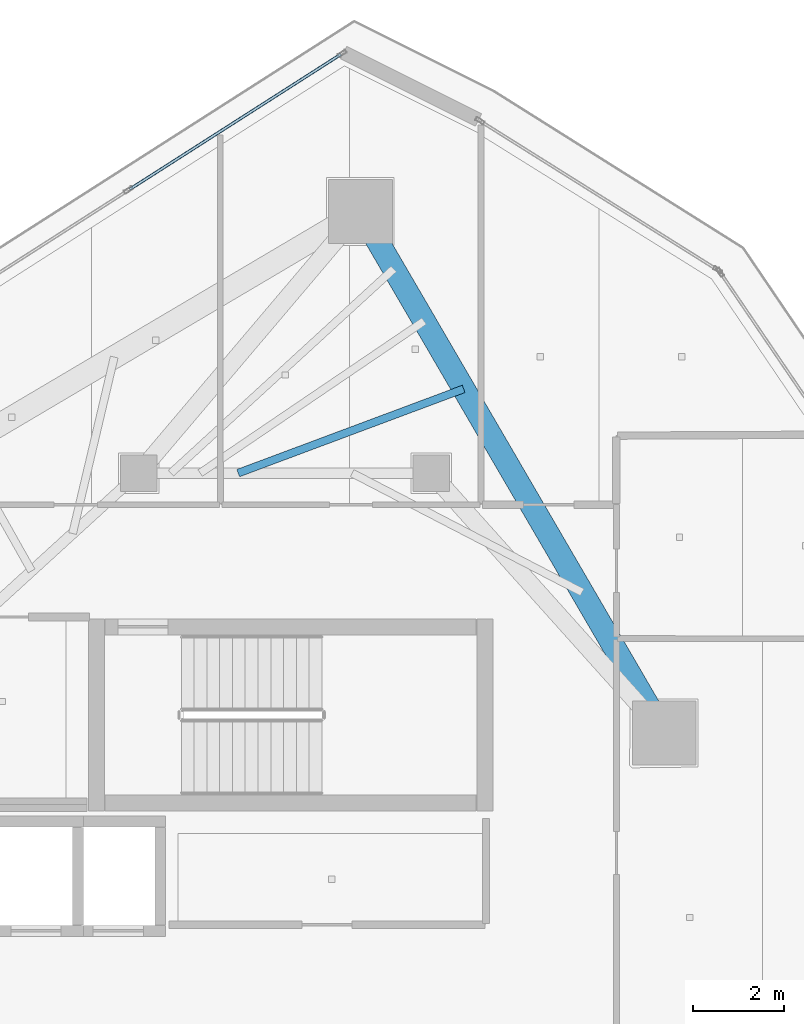
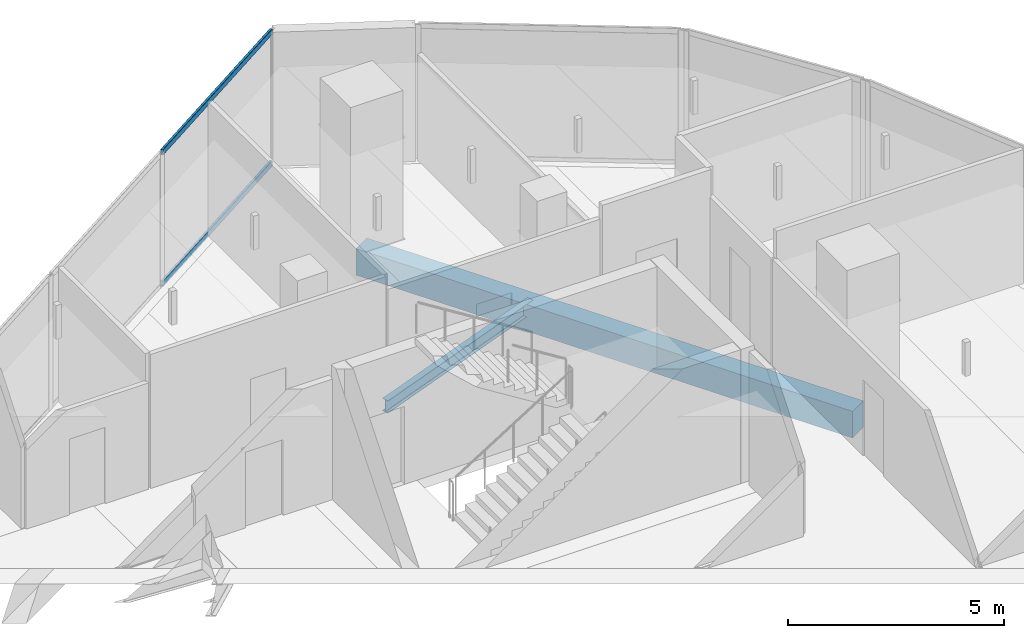
# One storey, part 15 of 26: 2 beams, 2 members, 1 element without a shape of its own.
"""IFC4 building model written with IfcOpenShell, lengths in metres."""

from ifc_helpers import new_model, si_unit, direction, frame, origin, origin_2d, place, context, subcontext, project, spatial, rectangle, hollow_rectangle, i_section, extrude, material, layer, layer_set, material_profile, profile_set, type_object, element, aggregate, save


model = new_model("IFC4")

# Units and contexts
model_context = context("Model", 3, precision=1e-05, world=origin(), true_north=direction((0.0, 1.0)))
body_context = subcontext(model_context, "Body", "Model", "MODEL_VIEW")
ifc_project = project(units=[si_unit("LENGTHUNIT", "METRE"), si_unit("AREAUNIT", "SQUARE_METRE"), si_unit("VOLUMEUNIT", "CUBIC_METRE"), si_unit("PLANEANGLEUNIT", "RADIAN"), si_unit("MASSUNIT", "GRAM", prefix="KILO")], contexts=[model_context])

# Site, building, storey
site_placement = place(None, origin())
site = spatial("IfcSite", under=ifc_project, at=site_placement, CompositionType="ELEMENT")
building_placement = place(site_placement, origin())
building = spatial("IfcBuilding", under=site, at=building_placement, Name="Qorvath Tower", CompositionType="ELEMENT")
storey_placement = place(building_placement, frame((0.0, 0.0, 322.800048828125)))
storey = spatial("IfcBuildingStorey", under=building, at=storey_placement, Name="L75", CompositionType="ELEMENT", Elevation=322.800048828125)

# Beams
ifc_material_1 = material(Name="Steel ASTM A992 Grade 50", Category="steel")
ifc_material_profile_1 = material_profile(ifc_material_1, i_section(OverallWidth=0.1708984375, OverallDepth=0.35107421875, WebThickness=0.0068359375, FlangeThickness=0.009765625, FilletRadius=0.010009765625, at=origin_2d()), Name="W14x30")
ifc_profile_set_1 = profile_set([ifc_material_profile_1], Name="Steel ASTM A992 Grade 50")
beam_type_1 = type_object("IfcBeamType", Name="BM-FJ4", PredefinedType="JOIST", material=ifc_profile_set_1)
beam_1_placement = place(storey_placement, frame((-21.424072265625, 11.449951171875, -0.465576171875), z_axis=(0.936775909139, 0.349929844478, 0.0), x_axis=(-0.349929844478, 0.936775909139, 0.0)))
element("IfcBeam", 1, at=beam_1_placement, inside=storey, type_object=beam_type_1, Name="Composite Floor Joist NE5 L75", PredefinedType="JOIST", context=body_context, shape_type="SweptSolid", body=[
    extrude(i_section(OverallWidth=0.1708984375, OverallDepth=0.35107421875, WebThickness=0.0068359375, FlangeThickness=0.009765625, FilletRadius=0.010009765625, at=origin_2d()), origin(), (0.0, 0.0, 1.0), 5.268798828125),
])
ifc_material_2 = material(Name="Concrete C45/55", Category="concrete")
ifc_material_profile_2 = material_profile(ifc_material_2, rectangle(XDim=0.5, YDim=0.75, at=origin_2d()), Name="RCB 750x500")
ifc_profile_set_2 = profile_set([ifc_material_profile_2], Name="Concrete C45/55")
beam_type_2 = type_object("IfcBeamType", Name="BM-RCB3", PredefinedType="SPANDREL", material=ifc_profile_set_2)
beam_2_placement = place(storey_placement, frame((-12.0966796875, 5.7578125, -0.6650390625), z_axis=(-0.503502256692, 0.863993910572, 0.0), x_axis=(-0.863993910572, -0.503502256692, 0.0)))
element("IfcBeam", 2, at=beam_2_placement, inside=storey, type_object=beam_type_2, Name="Perimeter Loggia Frame Beam MC5-MC6 L75", PredefinedType="SPANDREL", context=body_context, shape_type="SweptSolid", body=[
    extrude(rectangle(XDim=0.5, YDim=0.75, at=origin_2d()), origin(), (0.0, 0.0, 1.0), 13.215087890625),
])

# Curtain wall, members
ifc_material_3 = material(Name="Anodised aluminium and triple low-E glass", Category="aluminium")
ifc_layer = layer(ifc_material_3, 0.179931640625)
ifc_layer_set = layer_set([ifc_layer], Name="CW-SYS-4")
curtain_wall_type = type_object("IfcCurtainWallType", Name="CW-SYS-4", PredefinedType="NOTDEFINED", material=ifc_layer_set)
curtain_wall_placement = place(storey_placement, origin())
curtain_wall = element("IfcCurtainWall", 3, at=curtain_wall_placement, inside=storey, type_object=curtain_wall_type, Name="Curtain Wall CW-4 CW-T-L75-16.1", PredefinedType="NOTDEFINED")
ifc_material_4 = material(Name="Anodised aluminium 6063-T6", Category="aluminium")
ifc_material_profile_3 = material_profile(ifc_material_4, hollow_rectangle(XDim=0.06494140625, YDim=0.159912109375, WallThickness=0.00341796875, InnerFilletRadius=0.00341796875, OuterFilletRadius=0.007080078125, at=origin_2d()), Name="CWT 160x65")
ifc_profile_set_3 = profile_set([ifc_material_profile_3], Name="Anodised aluminium 6063-T6")
member_type = type_object("IfcMemberType", Name="CWT-160", PredefinedType="USERDEFINED", material=ifc_profile_set_3)
member_1_placement = place(storey_placement, frame((-19.177978515625, 20.615478515625, 0.032470703125), z_axis=(-0.842579475749, -0.538572025866, 0.0), x_axis=(0.538572025866, -0.842579475749, 0.0)))
member_1 = element("IfcMember", 4, at=member_1_placement, type_object=member_type, Name="CW-4 transom 1.1", ObjectType="TRANSOM", PredefinedType="USERDEFINED", context=body_context, shape_type="SweptSolid", body=[
    extrude(hollow_rectangle(XDim=0.06494140625, YDim=0.159912109375, WallThickness=0.00341796875, InnerFilletRadius=0.00341796875, OuterFilletRadius=0.007080078125, at=origin_2d()), origin(), (0.0, 0.0, 1.0), 5.48095703125),
])
member_2_placement = place(storey_placement, frame((-19.177978515625, 20.615478515625, 3.74755859375), z_axis=(-0.842579475749, -0.538572025866, 0.0), x_axis=(0.538572025866, -0.842579475749, 0.0)))
member_2 = element("IfcMember", 5, at=member_2_placement, type_object=member_type, Name="CW-4 transom 1.2", ObjectType="TRANSOM", PredefinedType="USERDEFINED", context=body_context, shape_type="SweptSolid", body=[
    extrude(hollow_rectangle(XDim=0.06494140625, YDim=0.159912109375, WallThickness=0.00341796875, InnerFilletRadius=0.00341796875, OuterFilletRadius=0.007080078125, at=origin_2d()), origin(), (0.0, 0.0, 1.0), 5.48095703125),
])
aggregate(curtain_wall, [member_1, member_2])

save(model, "model.ifc")
